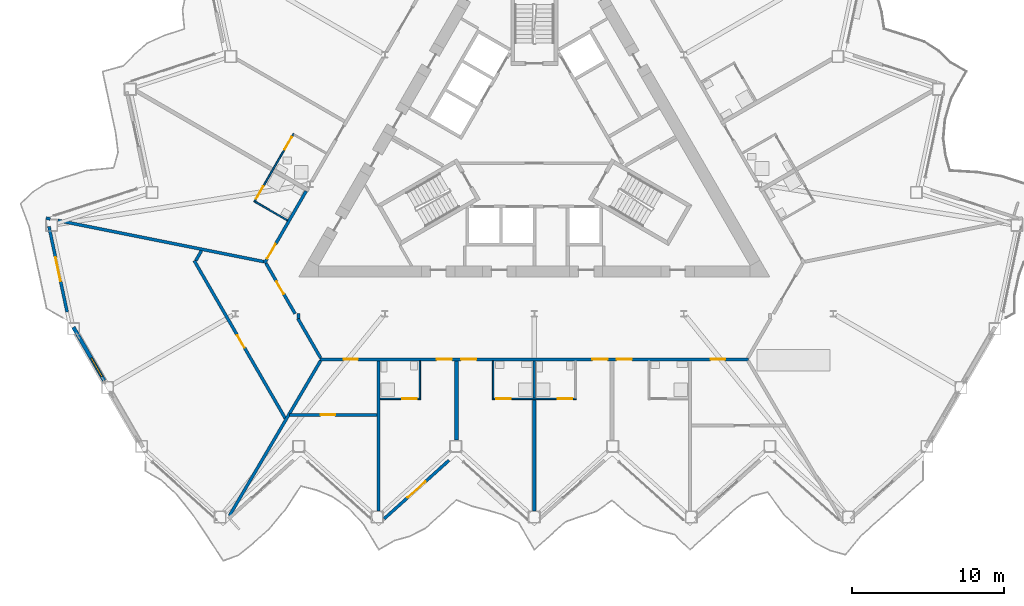
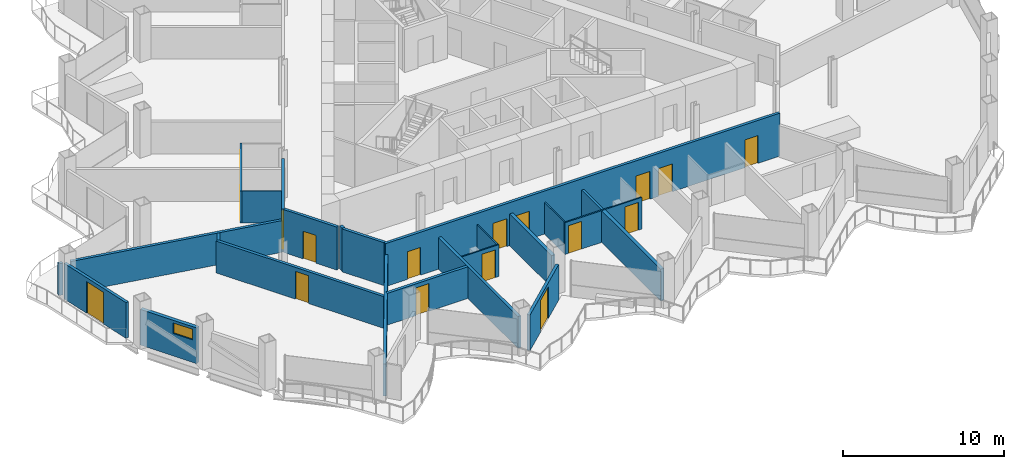
# One storey, part 10 of 23: 24 walls, 17 doors, 1 window, 18 openings.
"""IFC4 building model written with IfcOpenShell, lengths in metres."""

import ifcopenshell
import ifcopenshell.guid

model = None  # the IFC model being written
_history = None  # IfcOwnerHistory: only IFC2X3 demands one
_inside = {}  # id of a spatial element -> (the spatial element, [elements in it])
_under = {}  # id of a project, library or spatial element -> (it, [spatial elements below it])
_declared = {}  # id of a project -> (the project, [libraries it declares])
_typed = {}  # id of a type object -> (the type object, [elements of that type])
_made_of = {}  # id of a material, layer set ... -> (it, [elements and type objects made of it])


def new_model(schema):
    """Start an empty IFC model of exactly this schema.

    Asked for "IFC4X3", IfcOpenShell would pick the latest addendum, in which some entities
    have other attributes; the version numbers below select the first issue.
    IFC2X3 requires an IfcOwnerHistory on every rooted entity: one is made here for all.
    """
    global model, _history
    if schema == "IFC4X3":
        model = ifcopenshell.file(schema_version=(4, 3, 0, 0))
    else:
        model = ifcopenshell.file(schema=schema)
    _inside.clear()
    _under.clear()
    _declared.clear()
    _typed.clear()
    _made_of.clear()
    _history = None
    if model.schema == "IFC2X3":
        org = make("IfcOrganization", Name="unknown")
        user = make(
            "IfcPersonAndOrganization",
            ThePerson=make("IfcPerson", FamilyName="unknown"),
            TheOrganization=org,
        )
        app = make(
            "IfcApplication",
            ApplicationDeveloper=org,
            Version="unknown",
            ApplicationFullName="unknown",
            ApplicationIdentifier="unknown",
        )
        _history = make(
            "IfcOwnerHistory",
            OwningUser=user,
            OwningApplication=app,
            ChangeAction="ADDED",
            CreationDate=0,
        )
    return model


def make(cls, **values):
    """One entity of the class cls with the attributes given. An attribute that is None is left unset."""
    return model.create_entity(
        cls, **{name: value for name, value in values.items() if value is not None}
    )


def rooted(cls, **values):
    """An entity with a GlobalId (a new one), such as an element, a storey or a relation."""
    return make(cls, GlobalId=ifcopenshell.guid.new(), OwnerHistory=_history, **values)


def si_unit(unit_type, name, prefix=None):
    """IfcSIUnit, for example si_unit("LENGTHUNIT", "METRE", prefix="MILLI")."""
    return make("IfcSIUnit", UnitType=unit_type, Prefix=prefix, Name=name)


def assignment(units):
    """IfcUnitAssignment: the units of a project."""
    return None if units is None else make("IfcUnitAssignment", Units=units)


def point(xyz):
    """IfcCartesianPoint."""
    return None if xyz is None else make("IfcCartesianPoint", Coordinates=xyz)


def direction(xyz):
    """IfcDirection."""
    return None if xyz is None else make("IfcDirection", DirectionRatios=xyz)


def frame(location, z_axis=None, x_axis=None):
    """IfcAxis2Placement3D, a coordinate frame: its origin and axes. An axis left out is left unset."""
    return make(
        "IfcAxis2Placement3D",
        Location=point(location),
        Axis=direction(z_axis),
        RefDirection=direction(x_axis),
    )


def frame_2d(location, x_axis=None):
    """IfcAxis2Placement2D, a coordinate frame in the plane: its origin and x axis."""
    return make(
        "IfcAxis2Placement2D", Location=point(location), RefDirection=direction(x_axis)
    )


def origin():
    """The frame at (0, 0, 0) with its axes left unset."""
    return frame((0.0, 0.0, 0.0))


def place(relative_to, where):
    """IfcLocalPlacement: puts the frame where relative to a parent placement (None: the world)."""
    return make(
        "IfcLocalPlacement", PlacementRelTo=relative_to, RelativePlacement=where
    )


def context(
    kind, dimensions, precision=None, world=None, true_north=None, identifier=None
):
    """IfcGeometricRepresentationContext, for example the 3D "Model" context."""
    return make(
        "IfcGeometricRepresentationContext",
        ContextIdentifier=identifier,
        ContextType=kind,
        CoordinateSpaceDimension=dimensions,
        Precision=precision,
        WorldCoordinateSystem=world,
        TrueNorth=true_north,
    )


def subcontext(parent, identifier, kind, view, scale=None):
    """IfcGeometricRepresentationSubContext, for example "Body" below "Model"."""
    return make(
        "IfcGeometricRepresentationSubContext",
        ContextIdentifier=identifier,
        ContextType=kind,
        ParentContext=parent,
        TargetScale=scale,
        TargetView=view,
    )


def project(units=None, contexts=None):
    """IfcProject with its units and contexts."""
    return rooted(
        "IfcProject",
        Name="project",
        RepresentationContexts=contexts,
        UnitsInContext=assignment(units),
    )


def spatial(cls, under=None, at=None, **own):
    """A site, building, storey or space (cls), placed at a placement, below another one or the project."""
    s = rooted(cls, ObjectPlacement=at, **own)
    if under is not None:
        _under.setdefault(under.id(), (under, []))[1].append(s)
    return s


def profile(cls, at=None, kind="AREA", **sizes):
    """A parametric profile (cls). Its sizes go by their IFC names, for example OverallWidth=200.0."""
    return make(cls, ProfileType=kind, Position=at, **sizes)


def rectangle(**sizes):
    """IfcRectangleProfileDef."""
    return profile("IfcRectangleProfileDef", **sizes)


def extrude(swept, where, along, depth):
    """IfcExtrudedAreaSolid: the profile swept, set in the frame where, extruded along a direction by depth."""
    return make(
        "IfcExtrudedAreaSolid",
        SweptArea=swept,
        Position=where,
        ExtrudedDirection=direction(along),
        Depth=depth,
    )


def shape(context_of_items, identifier, shape_type, items):
    """IfcShapeRepresentation: the items that make up one representation, for example the "Body"."""
    return make(
        "IfcShapeRepresentation",
        ContextOfItems=context_of_items,
        RepresentationIdentifier=identifier,
        RepresentationType=shape_type,
        Items=items,
    )


def material(Name=None, Category=None):
    """IfcMaterial."""
    return make("IfcMaterial", Name=Name, Category=Category)


def layer(
    of_material, thickness, ventilated=None, Name=None, Category=None, Priority=None
):
    """IfcMaterialLayer: one layer of a wall or slab, of a material (None: an air gap)."""
    return make(
        "IfcMaterialLayer",
        Material=of_material,
        LayerThickness=thickness,
        IsVentilated=ventilated,
        Name=Name,
        Category=Category,
        Priority=Priority,
    )


def layer_set(layers, Name=None):
    """IfcMaterialLayerSet."""
    return make("IfcMaterialLayerSet", MaterialLayers=layers, LayerSetName=Name)


def made_of(thing, what):
    """Note that an element or type object is made of a material, layer set ...; save() writes the relation."""
    if what is not None:
        _made_of.setdefault(what.id(), (what, []))[1].append(thing)
    return thing


def type_object(cls, material=None, **own):
    """A type object (cls), such as IfcWallType, which elements share."""
    return made_of(rooted(cls, **own), material)


def element(
    cls,
    number,
    at=None,
    inside=None,
    cuts=None,
    type_object=None,
    material=None,
    context=None,
    identifier="Body",
    shape_type=None,
    held_by="IfcProductDefinitionShape",
    body=None,
    shapes=None,
    **own,
):
    """One element of the class cls, such as IfcWall. Its Tag is "e" and its number.

    at: its placement. inside: the storey or other place that contains it. cuts: it is an
    opening in that element (IfcRelVoidsElement). A single representation is given by context,
    identifier, shape_type and body (its items); several are given by shapes. held_by: the class
    of the entity that holds the representations. save() writes the other relations.
    """
    e = rooted(cls, Tag="e%d" % number, ObjectPlacement=at, **own)
    if body is not None:
        shapes = [shape(context, identifier, shape_type, body)]
    if shapes is not None:
        e.Representation = make(held_by, Representations=shapes)
    if inside is not None:
        _inside.setdefault(inside.id(), (inside, []))[1].append(e)
    if cuts is not None:
        rooted(
            "IfcRelVoidsElement", RelatingBuildingElement=cuts, RelatedOpeningElement=e
        )
    if type_object is not None:
        _typed.setdefault(type_object.id(), (type_object, []))[1].append(e)
    return made_of(e, material)


def fill(opening, filler):
    """IfcRelFillsElement: the door or window that sits in an opening."""
    return rooted(
        "IfcRelFillsElement",
        RelatingOpeningElement=opening,
        RelatedBuildingElement=filler,
    )


def aggregate(whole, parts):
    """IfcRelAggregates: a whole, such as a stair, and the parts it consists of."""
    return rooted("IfcRelAggregates", RelatingObject=whole, RelatedObjects=parts)


def save(model, path):
    """Write the relations noted so far, then the file.

    IfcRelAggregates (storeys below a building ...), IfcRelContainedInSpatialStructure (elements
    in a storey), IfcRelDefinesByType, IfcRelAssociatesMaterial and IfcRelDeclares: one each for
    every whole, place, type object, material and project.
    """
    for whole, parts in _under.values():
        aggregate(whole, parts)
    for where, things in _inside.values():
        rooted(
            "IfcRelContainedInSpatialStructure",
            RelatedElements=things,
            RelatingStructure=where,
        )
    for kind, things in _typed.values():
        rooted("IfcRelDefinesByType", RelatedObjects=things, RelatingType=kind)
    for what, things in _made_of.values():
        rooted("IfcRelAssociatesMaterial", RelatedObjects=things, RelatingMaterial=what)
    for by, libraries in _declared.values():
        rooted("IfcRelDeclares", RelatingContext=by, RelatedDefinitions=libraries)
    model.write(path)


model = new_model("IFC4")

# Units and contexts
model_context = context("Model", 3, precision=1e-05, world=origin(), true_north=direction((0.0, 1.0)))
body_context = subcontext(model_context, "Body", "Model", "MODEL_VIEW")
ifc_project = project(units=[si_unit("LENGTHUNIT", "METRE"), si_unit("AREAUNIT", "SQUARE_METRE"), si_unit("VOLUMEUNIT", "CUBIC_METRE"), si_unit("PLANEANGLEUNIT", "RADIAN"), si_unit("MASSUNIT", "GRAM", prefix="KILO")], contexts=[model_context])

# Site, building, storey
site_placement = place(None, origin())
site = spatial("IfcSite", under=ifc_project, at=site_placement, CompositionType="ELEMENT")
building_placement = place(site_placement, origin())
building = spatial("IfcBuilding", under=site, at=building_placement, Name="Cormorant Prow Tower", CompositionType="ELEMENT")
storey_placement = place(building_placement, frame((0.0, 0.0, 176.39990234375)))
storey = spatial("IfcBuildingStorey", under=building, at=storey_placement, Name="L37", CompositionType="ELEMENT", Elevation=176.39990234375)

# Wall, openings, doors
ifc_material_1 = material(Name="Gypsum board corridor wall")
ifc_layer_1 = layer(ifc_material_1, 0.199951171875)
ifc_layer_set_1 = layer_set([ifc_layer_1], Name="Gypsum board corridor wall")
wall_type_1 = type_object("IfcWallType", Name="Corridor wall 200", PredefinedType="PARTITIONING", material=ifc_layer_set_1)
wall_1_placement = place(storey_placement, frame((-14.098876953125, -14.348876953125, 0.0), z_axis=(0.0, 0.0, 1.0), x_axis=(1.0, 0.0, 0.0)))
wall_1 = element("IfcWall", 1, at=wall_1_placement, inside=storey, type_object=wall_type_1, Name="Corridor wall", PredefinedType="PARTITIONING", context=body_context, shape_type="SweptSolid", body=[
    extrude(rectangle(XDim=28.19775390625, YDim=0.199951171875, at=frame_2d((14.098876953125, 0.0))), origin(), (0.0, 0.0, 1.0), 3.25),
])
opening_1_placement = place(wall_1_placement, frame((1.55224609375, 0.0, 0.0)))
opening_1 = element("IfcOpeningElement", 2, at=opening_1_placement, cuts=wall_1, Name="Opening L37-F01", PredefinedType="OPENING", context=body_context, shape_type="SweptSolid", body=[
    extrude(rectangle(XDim=0.949951171875, YDim=2.10009765625, at=frame_2d((0.47509765625, 1.050048828125))), frame((0.0, 0.10986328125, 0.0), z_axis=(0.0, -1.0, 0.0), x_axis=(1.0, 0.0, 0.0)), (0.0, 0.0, 1.0), 0.219970703125),
])
opening_2_placement = place(wall_1_placement, frame((7.67724609375, 0.0, 0.0)))
opening_2 = element("IfcOpeningElement", 3, at=opening_2_placement, cuts=wall_1, Name="Opening L37-F03", PredefinedType="OPENING", context=body_context, shape_type="SweptSolid", body=[
    extrude(rectangle(XDim=1.0, YDim=2.10009765625, at=frame_2d((0.5, 1.050048828125))), frame((0.0, 0.10986328125, 0.0), z_axis=(0.0, -1.0, 0.0), x_axis=(1.0, 0.0, 0.0)), (0.0, 0.0, 1.0), 0.219970703125),
])
opening_3_placement = place(wall_1_placement, frame((9.283203125, 0.0, 0.0)))
opening_3 = element("IfcOpeningElement", 4, at=opening_3_placement, cuts=wall_1, Name="Opening L37-F05", PredefinedType="OPENING", context=body_context, shape_type="SweptSolid", body=[
    extrude(rectangle(XDim=1.0, YDim=2.10009765625, at=frame_2d((0.5, 1.050048828125))), frame((0.0, 0.10986328125, 0.0), z_axis=(0.0, -1.0, 0.0), x_axis=(1.0, 0.0, 0.0)), (0.0, 0.0, 1.0), 0.219970703125),
])
opening_4_placement = place(wall_1_placement, frame((17.914794921875, 0.0, 0.0)))
opening_4 = element("IfcOpeningElement", 5, at=opening_4_placement, cuts=wall_1, Name="Opening L37-F07", PredefinedType="OPENING", context=body_context, shape_type="SweptSolid", body=[
    extrude(rectangle(XDim=1.0, YDim=2.10009765625, at=frame_2d((0.5, 1.050048828125))), frame((0.0, 0.10986328125, 0.0), z_axis=(0.0, -1.0, 0.0), x_axis=(1.0, 0.0, 0.0)), (0.0, 0.0, 1.0), 0.219970703125),
])
opening_5_placement = place(wall_1_placement, frame((19.5205078125, 0.0, 0.0)))
opening_5 = element("IfcOpeningElement", 6, at=opening_5_placement, cuts=wall_1, Name="Opening L37-F09", PredefinedType="OPENING", context=body_context, shape_type="SweptSolid", body=[
    extrude(rectangle(XDim=1.0, YDim=2.10009765625, at=frame_2d((0.5, 1.050048828125))), frame((0.0, 0.10986328125, 0.0), z_axis=(0.0, -1.0, 0.0), x_axis=(1.0, 0.0, 0.0)), (0.0, 0.0, 1.0), 0.219970703125),
])
opening_6_placement = place(wall_1_placement, frame((25.695556640625, 0.0, 0.0)))
opening_6 = element("IfcOpeningElement", 7, at=opening_6_placement, cuts=wall_1, Name="Opening L37-F11", PredefinedType="OPENING", context=body_context, shape_type="SweptSolid", body=[
    extrude(rectangle(XDim=0.949951171875, YDim=2.10009765625, at=frame_2d((0.47509765625, 1.050048828125))), frame((0.0, 0.10986328125, 0.0), z_axis=(0.0, -1.0, 0.0), x_axis=(1.0, 0.0, 0.0)), (0.0, 0.0, 1.0), 0.219970703125),
])
ifc_material_2 = material(Name="Timber door leaf", Category="wood")
door_type_1 = type_object("IfcDoorType", Name="Flat or room entrance door 1000x2100", OperationType="NOTDEFINED", PredefinedType="DOOR", material=ifc_material_2)
door_1_placement = place(opening_2_placement, origin())
door_1 = element("IfcDoor", 8, at=door_1_placement, inside=storey, type_object=door_type_1, Name="Guest room door", OperationType="SINGLE_SWING_RIGHT", OverallHeight=2.10009765625, OverallWidth=1.0, PredefinedType="DOOR", context=body_context, shape_type="SweptSolid", body=[
    extrude(rectangle(XDim=1.0, YDim=2.10009765625, at=frame_2d((0.5, 1.050048828125))), frame((0.0, 0.02490234375, 0.0), z_axis=(0.0, -1.0, 0.0), x_axis=(1.0, 0.0, 0.0)), (0.0, 0.0, 1.0), 0.050048828125),
])
fill(opening_2, door_1)
door_2_placement = place(opening_3_placement, origin())
door_2 = element("IfcDoor", 9, at=door_2_placement, inside=storey, type_object=door_type_1, Name="Guest room door", OperationType="SINGLE_SWING_LEFT", OverallHeight=2.10009765625, OverallWidth=1.0, PredefinedType="DOOR", context=body_context, shape_type="SweptSolid", body=[
    extrude(rectangle(XDim=1.0, YDim=2.10009765625, at=frame_2d((0.5, 1.050048828125))), frame((0.0, 0.02490234375, 0.0), z_axis=(0.0, -1.0, 0.0), x_axis=(1.0, 0.0, 0.0)), (0.0, 0.0, 1.0), 0.050048828125),
])
fill(opening_3, door_2)
door_3_placement = place(opening_4_placement, origin())
door_3 = element("IfcDoor", 10, at=door_3_placement, inside=storey, type_object=door_type_1, Name="Guest room door", OperationType="SINGLE_SWING_RIGHT", OverallHeight=2.10009765625, OverallWidth=1.0, PredefinedType="DOOR", context=body_context, shape_type="SweptSolid", body=[
    extrude(rectangle(XDim=1.0, YDim=2.10009765625, at=frame_2d((0.5, 1.050048828125))), frame((0.0, 0.02490234375, 0.0), z_axis=(0.0, -1.0, 0.0), x_axis=(1.0, 0.0, 0.0)), (0.0, 0.0, 1.0), 0.050048828125),
])
fill(opening_4, door_3)
door_4_placement = place(opening_5_placement, origin())
door_4 = element("IfcDoor", 11, at=door_4_placement, inside=storey, type_object=door_type_1, Name="Guest room door", OperationType="SINGLE_SWING_LEFT", OverallHeight=2.10009765625, OverallWidth=1.0, PredefinedType="DOOR", context=body_context, shape_type="SweptSolid", body=[
    extrude(rectangle(XDim=1.0, YDim=2.10009765625, at=frame_2d((0.5, 1.050048828125))), frame((0.0, 0.02490234375, 0.0), z_axis=(0.0, -1.0, 0.0), x_axis=(1.0, 0.0, 0.0)), (0.0, 0.0, 1.0), 0.050048828125),
])
fill(opening_5, door_4)
ifc_material_3 = material(Name="Timber door leaf", Category="wood")
door_type_2 = type_object("IfcDoorType", Name="Store door 950x2100", OperationType="NOTDEFINED", PredefinedType="DOOR", material=ifc_material_3)
door_5_placement = place(opening_1_placement, origin())
door_5 = element("IfcDoor", 12, at=door_5_placement, inside=storey, type_object=door_type_2, Name="Housekeeping room door", OperationType="SINGLE_SWING_LEFT", OverallHeight=2.10009765625, OverallWidth=0.949951171875, PredefinedType="DOOR", context=body_context, shape_type="SweptSolid", body=[
    extrude(rectangle(XDim=0.949951171875, YDim=2.10009765625, at=frame_2d((0.47509765625, 1.050048828125))), frame((0.0, 0.02490234375, 0.0), z_axis=(0.0, -1.0, 0.0), x_axis=(1.0, 0.0, 0.0)), (0.0, 0.0, 1.0), 0.050048828125),
])
fill(opening_1, door_5)
door_6_placement = place(opening_6_placement, origin())
door_6 = element("IfcDoor", 13, at=door_6_placement, inside=storey, type_object=door_type_2, Name="Luggage store door", OperationType="SINGLE_SWING_LEFT", OverallHeight=2.10009765625, OverallWidth=0.949951171875, PredefinedType="DOOR", context=body_context, shape_type="SweptSolid", body=[
    extrude(rectangle(XDim=0.949951171875, YDim=2.10009765625, at=frame_2d((0.47509765625, 1.050048828125))), frame((0.0, 0.02490234375, 0.0), z_axis=(0.0, -1.0, 0.0), x_axis=(1.0, 0.0, 0.0)), (0.0, 0.0, 1.0), 0.050048828125),
])
fill(opening_6, door_6)

# Wall, opening, door
wall_2_placement = place(storey_placement, frame((-17.743896484375, -8.035400390625, 0.0), z_axis=(0.0, 0.0, 1.0), x_axis=(0.500007607708, 0.866021011428, 0.0)))
wall_2 = element("IfcWall", 14, at=wall_2_placement, inside=storey, type_object=wall_type_1, Name="Corridor wall", PredefinedType="PARTITIONING", context=body_context, shape_type="SweptSolid", body=[
    extrude(rectangle(XDim=5.484375, YDim=0.199951171875, at=frame_2d((2.7421875, 0.0))), origin(), (0.0, 0.0, 1.0), 3.25),
])
opening_7_placement = place(wall_2_placement, frame((0.352294921875, 0.0, 0.0)))
opening_7 = element("IfcOpeningElement", 15, at=opening_7_placement, cuts=wall_2, Name="Opening L37-F31", PredefinedType="OPENING", context=body_context, shape_type="SweptSolid", body=[
    extrude(rectangle(XDim=1.10009765625, YDim=2.10009765625, at=frame_2d((0.550048828125, 1.050048828125))), frame((0.0, 0.10986328125, 0.0), z_axis=(0.0, -1.0, 0.0), x_axis=(1.0, 0.0, 0.0)), (0.0, 0.0, 1.0), 0.219970703125),
])
ifc_material_4 = material(Name="Timber door leaf", Category="wood")
door_type_3 = type_object("IfcDoorType", Name="Suite entrance door 1100x2100", OperationType="NOTDEFINED", PredefinedType="DOOR", material=ifc_material_4)
door_7_placement = place(opening_7_placement, origin())
door_7 = element("IfcDoor", 16, at=door_7_placement, inside=storey, type_object=door_type_3, Name="Junior suite door", OperationType="SINGLE_SWING_LEFT", OverallHeight=2.10009765625, OverallWidth=1.10009765625, PredefinedType="DOOR", context=body_context, shape_type="SweptSolid", body=[
    extrude(rectangle(XDim=1.10009765625, YDim=2.10009765625, at=frame_2d((0.550048828125, 1.050048828125))), frame((0.0, 0.02490234375, 0.0), z_axis=(0.0, -1.0, 0.0), x_axis=(1.0, 0.0, 0.0)), (0.0, 0.0, 1.0), 0.050048828125),
])
fill(opening_7, door_7)

wall_3_placement = place(storey_placement, frame((-17.643798828125, -8.035400390625, 0.0), z_axis=(0.0, 0.0, 1.0), x_axis=(0.499961815444, -0.866047448526, 0.0)))
wall_3 = element("IfcWall", 17, at=wall_3_placement, inside=storey, type_object=wall_type_1, Name="Corridor wall", PredefinedType="PARTITIONING", context=body_context, shape_type="SweptSolid", body=[
    extrude(rectangle(XDim=3.825927734375, YDim=0.199951171875, at=frame_2d((1.9130859375, 0.0))), origin(), (0.0, 0.0, 1.0), 3.25),
])
opening_8_placement = place(wall_3_placement, frame((1.38623046875, 0.0, 0.0)))
opening_8 = element("IfcOpeningElement", 18, at=opening_8_placement, cuts=wall_3, Name="Opening L37-F33", PredefinedType="OPENING", context=body_context, shape_type="SweptSolid", body=[
    extrude(rectangle(XDim=0.949951171875, YDim=2.10009765625, at=frame_2d((0.47509765625, 1.050048828125))), frame((0.0, 0.10986328125, 0.0), z_axis=(0.0, -1.0, 0.0), x_axis=(1.0, 0.0, 0.0)), (0.0, 0.0, 1.0), 0.219970703125),
])
door_8_placement = place(opening_8_placement, origin())
door_8 = element("IfcDoor", 19, at=door_8_placement, inside=storey, type_object=door_type_2, Name="Housekeeping room door", OperationType="SINGLE_SWING_LEFT", OverallHeight=2.10009765625, OverallWidth=0.949951171875, PredefinedType="DOOR", context=body_context, shape_type="SweptSolid", body=[
    extrude(rectangle(XDim=0.949951171875, YDim=2.10009765625, at=frame_2d((0.47509765625, 1.050048828125))), frame((0.0, 0.02490234375, 0.0), z_axis=(0.0, -1.0, 0.0), x_axis=(1.0, 0.0, 0.0)), (0.0, 0.0, 1.0), 0.050048828125),
])
fill(opening_8, door_8)

# Walls
wall_4_placement = place(storey_placement, frame((-15.550048828125, -11.662353515625, 0.0), z_axis=(0.0, 0.0, 1.0), x_axis=(0.500048608389, -0.865997337899, 0.0)))
element("IfcWall", 20, at=wall_4_placement, inside=storey, type_object=wall_type_1, Name="Corridor wall", PredefinedType="PARTITIONING", context=body_context, shape_type="SweptSolid", body=[
    extrude(rectangle(XDim=3.002197265625, YDim=0.199951171875, at=frame_2d((1.5009765625, 0.0))), origin(), (0.0, 0.0, 1.0), 3.25),
])
wall_5_placement = place(storey_placement, frame((-15.5, -11.64892578125, 0.0), z_axis=(0.0, 0.0, 1.0), x_axis=(0.0, 1.0, 0.0)))
element("IfcWall", 21, at=wall_5_placement, inside=storey, type_object=wall_type_1, Name="Corridor wall", PredefinedType="PARTITIONING", context=body_context, shape_type="SweptSolid", body=[
    extrude(rectangle(XDim=0.31005859375, YDim=0.199951171875, at=frame_2d((0.155029296875, 0.0))), origin(), (0.0, 0.0, 1.0), 3.25),
])
ifc_material_5 = material(Name="Gypsum board demising wall")
ifc_layer_2 = layer(ifc_material_5, 0.199951171875)
ifc_layer_set_2 = layer_set([ifc_layer_2], Name="Gypsum board demising wall")
wall_type_2 = type_object("IfcWallType", Name="Demising wall 200", PredefinedType="PARTITIONING", material=ifc_layer_set_2)
wall_6_placement = place(storey_placement, frame((-31.3291015625, -5.220703125, 0.0), z_axis=(0.0, 0.0, 1.0), x_axis=(0.980565709097, -0.196190953266, 0.0)))
element("IfcWall", 22, at=wall_6_placement, inside=storey, type_object=wall_type_2, Name="Demising wall", PredefinedType="PARTITIONING", context=body_context, shape_type="SweptSolid", body=[
    extrude(rectangle(XDim=13.805419921875, YDim=0.199951171875, at=frame_2d((6.90283203125, 0.0))), origin(), (0.0, 0.0, 1.0), 2.404296875),
])
wall_7_placement = place(storey_placement, frame((-20.046142578125, -24.632080078125, 0.0), z_axis=(0.0, 0.0, 1.0), x_axis=(0.50691549935, 0.86199575203, 0.0)))
element("IfcWall", 23, at=wall_7_placement, inside=storey, type_object=wall_type_2, Name="Demising wall", PredefinedType="PARTITIONING", context=body_context, shape_type="SweptSolid", body=[
    extrude(rectangle(XDim=11.82958984375, YDim=0.199951171875, at=frame_2d((5.914794921875, 0.0))), origin(), (0.0, 0.0, 1.0), 2.404296875),
])

# Wall, opening, door
wall_8_placement = place(storey_placement, frame((-22.36279296875, -7.8623046875, 0.0), z_axis=(0.0, 0.0, 1.0), x_axis=(0.500009728207, -0.866019787128, 0.0)))
wall_8 = element("IfcWall", 24, at=wall_8_placement, inside=storey, type_object=wall_type_2, Name="Demising wall", PredefinedType="PARTITIONING", context=body_context, shape_type="SweptSolid", body=[
    extrude(rectangle(XDim=11.966552734375, YDim=0.199951171875, at=frame_2d((5.9833984375, 0.0))), origin(), (0.0, 0.0, 1.0), 2.404296875),
])
opening_9_placement = place(wall_8_placement, frame((5.658447265625, 0.0, 0.0)))
opening_9 = element("IfcOpeningElement", 25, at=opening_9_placement, cuts=wall_8, Name="Opening L37-F34", PredefinedType="OPENING", context=body_context, shape_type="SweptSolid", body=[
    extrude(rectangle(XDim=0.949951171875, YDim=2.10009765625, at=frame_2d((0.47509765625, 1.050048828125))), frame((0.0, 0.10986328125, 0.0), z_axis=(0.0, -1.0, 0.0), x_axis=(1.0, 0.0, 0.0)), (0.0, 0.0, 1.0), 0.219970703125),
])
door_9_placement = place(opening_9_placement, origin())
door_9 = element("IfcDoor", 26, at=door_9_placement, inside=storey, type_object=door_type_2, Name="Ice and vending room door", OperationType="SINGLE_SWING_RIGHT", OverallHeight=2.10009765625, OverallWidth=0.949951171875, PredefinedType="DOOR", context=body_context, shape_type="SweptSolid", body=[
    extrude(rectangle(XDim=0.949951171875, YDim=2.10009765625, at=frame_2d((0.47509765625, 1.050048828125))), frame((0.0, 0.02490234375, 0.0), z_axis=(0.0, -1.0, 0.0), x_axis=(1.0, 0.0, 0.0)), (0.0, 0.0, 1.0), 0.050048828125),
])
fill(opening_9, door_9)

# Wall
wall_9_placement = place(storey_placement, frame((-10.2314453125, -24.3115234375, 0.0), z_axis=(0.0, 0.0, 1.0), x_axis=(0.0, 1.0, 0.0)))
element("IfcWall", 27, at=wall_9_placement, inside=storey, type_object=wall_type_2, Name="Demising wall", PredefinedType="PARTITIONING", context=body_context, shape_type="SweptSolid", body=[
    extrude(rectangle(XDim=9.862548828125, YDim=0.199951171875, at=frame_2d((4.93115234375, 0.0))), origin(), (0.0, 0.0, 1.0), 2.404296875),
])

# Wall, opening, door
wall_10_placement = place(storey_placement, frame((-16.106201171875, -17.998779296875, 0.0), z_axis=(0.0, 0.0, 1.0), x_axis=(1.0, 0.0, 0.0)))
wall_10 = element("IfcWall", 28, at=wall_10_placement, inside=storey, type_object=wall_type_2, Name="Demising wall", PredefinedType="PARTITIONING", context=body_context, shape_type="SweptSolid", body=[
    extrude(rectangle(XDim=5.77490234375, YDim=0.199951171875, at=frame_2d((2.887451171875, 0.0))), origin(), (0.0, 0.0, 1.0), 2.404296875),
])
opening_10_placement = place(wall_10_placement, frame((2.060302734375, 0.0, 0.0)))
opening_10 = element("IfcOpeningElement", 29, at=opening_10_placement, cuts=wall_10, Name="Opening L37-F02", PredefinedType="OPENING", context=body_context, shape_type="SweptSolid", body=[
    extrude(rectangle(XDim=0.949951171875, YDim=2.10009765625, at=frame_2d((0.47509765625, 1.050048828125))), frame((0.0, 0.10986328125, 0.0), z_axis=(0.0, -1.0, 0.0), x_axis=(1.0, 0.0, 0.0)), (0.0, 0.0, 1.0), 0.219970703125),
])
door_10_placement = place(opening_10_placement, origin())
door_10 = element("IfcDoor", 30, at=door_10_placement, inside=storey, type_object=door_type_2, Name="Linen store door", OperationType="SINGLE_SWING_LEFT", OverallHeight=2.10009765625, OverallWidth=0.949951171875, PredefinedType="DOOR", context=body_context, shape_type="SweptSolid", body=[
    extrude(rectangle(XDim=0.949951171875, YDim=2.10009765625, at=frame_2d((0.47509765625, 1.050048828125))), frame((0.0, 0.02490234375, 0.0), z_axis=(0.0, -1.0, 0.0), x_axis=(1.0, 0.0, 0.0)), (0.0, 0.0, 1.0), 0.050048828125),
])
fill(opening_10, door_10)

# Walls
wall_11_placement = place(storey_placement, frame((-22.2626953125, -7.8623046875, 0.0), z_axis=(0.0, 0.0, 1.0), x_axis=(0.499852814723, 0.866110364569, 0.0)))
element("IfcWall", 31, at=wall_11_placement, inside=storey, type_object=wall_type_2, Name="Demising wall", PredefinedType="PARTITIONING", context=body_context, shape_type="SweptSolid", body=[
    extrude(rectangle(XDim=0.756591796875, YDim=0.199951171875, at=frame_2d((0.37841796875, 0.0))), origin(), (0.0, 0.0, 1.0), 2.404296875),
])
wall_12_placement = place(storey_placement, frame((-32.1025390625, -5.06591796875, 0.0), z_axis=(0.0, 0.0, 1.0), x_axis=(0.980512850695, -0.19645495571, 0.0)))
element("IfcWall", 32, at=wall_12_placement, inside=storey, type_object=wall_type_2, Name="Demising wall", PredefinedType="PARTITIONING", context=body_context, shape_type="SweptSolid", body=[
    extrude(rectangle(XDim=0.277099609375, YDim=0.199951171875, at=frame_2d((0.138671875, 0.0))), origin(), (0.0, 0.0, 1.0), 2.404296875),
])

# Wall, openings, doors
ifc_material_6 = material(Name="Gypsum board partition")
ifc_layer_3 = layer(ifc_material_6, 0.10009765625)
ifc_layer_set_3 = layer_set([ifc_layer_3], Name="Gypsum board partition")
wall_type_3 = type_object("IfcWallType", Name="Internal partition 100", PredefinedType="PARTITIONING", material=ifc_layer_set_3)
wall_13_placement = place(storey_placement, frame((-2.75, -16.948974609375, 0.0), z_axis=(0.0, 0.0, 1.0), x_axis=(1.0, 0.0, 0.0)))
wall_13 = element("IfcWall", 33, at=wall_13_placement, inside=storey, type_object=wall_type_3, Name="Internal partition", PredefinedType="PARTITIONING", context=body_context, shape_type="SweptSolid", body=[
    extrude(rectangle(XDim=5.5, YDim=0.10009765625, at=frame_2d((2.75, 0.0))), origin(), (0.0, 0.0, 1.0), 2.404296875),
])
opening_11_placement = place(wall_13_placement, frame((0.25, 0.0, 0.0)))
opening_11 = element("IfcOpeningElement", 34, at=opening_11_placement, cuts=wall_13, Name="Opening L37-F06", PredefinedType="OPENING", context=body_context, shape_type="SweptSolid", body=[
    extrude(rectangle(XDim=0.949951171875, YDim=2.10009765625, at=frame_2d((0.47509765625, 1.050048828125))), frame((0.0, 0.06005859375, 0.0), z_axis=(0.0, -1.0, 0.0), x_axis=(1.0, 0.0, 0.0)), (0.0, 0.0, 1.0), 0.1201171875),
])
opening_12_placement = place(wall_13_placement, frame((4.300048828125, 0.0, 0.0)))
opening_12 = element("IfcOpeningElement", 35, at=opening_12_placement, cuts=wall_13, Name="Opening L37-F08", PredefinedType="OPENING", context=body_context, shape_type="SweptSolid", body=[
    extrude(rectangle(XDim=0.949951171875, YDim=2.10009765625, at=frame_2d((0.47509765625, 1.050048828125))), frame((0.0, 0.06005859375, 0.0), z_axis=(0.0, -1.0, 0.0), x_axis=(1.0, 0.0, 0.0)), (0.0, 0.0, 1.0), 0.1201171875),
])
ifc_material_7 = material(Name="Timber door leaf", Category="wood")
door_type_4 = type_object("IfcDoorType", Name="Bathroom door 950x2100", OperationType="NOTDEFINED", PredefinedType="DOOR", material=ifc_material_7)
door_11_placement = place(opening_11_placement, origin())
door_11 = element("IfcDoor", 36, at=door_11_placement, inside=storey, type_object=door_type_4, Name="Guest room door", OperationType="SINGLE_SWING_LEFT", OverallHeight=2.10009765625, OverallWidth=0.949951171875, PredefinedType="DOOR", context=body_context, shape_type="SweptSolid", body=[
    extrude(rectangle(XDim=0.949951171875, YDim=2.10009765625, at=frame_2d((0.47509765625, 1.050048828125))), frame((0.0, 0.02490234375, 0.0), z_axis=(0.0, -1.0, 0.0), x_axis=(1.0, 0.0, 0.0)), (0.0, 0.0, 1.0), 0.050048828125),
])
fill(opening_11, door_11)
door_12_placement = place(opening_12_placement, origin())
door_12 = element("IfcDoor", 37, at=door_12_placement, inside=storey, type_object=door_type_4, Name="Guest room door", OperationType="SINGLE_SWING_RIGHT", OverallHeight=2.10009765625, OverallWidth=0.949951171875, PredefinedType="DOOR", context=body_context, shape_type="SweptSolid", body=[
    extrude(rectangle(XDim=0.949951171875, YDim=2.10009765625, at=frame_2d((0.47509765625, 1.050048828125))), frame((0.0, 0.02490234375, 0.0), z_axis=(0.0, -1.0, 0.0), x_axis=(1.0, 0.0, 0.0)), (0.0, 0.0, 1.0), 0.050048828125),
])
fill(opening_12, door_12)

wall_14_placement = place(storey_placement, frame((-18.4208984375, -4.008056640625, 0.0), z_axis=(0.0, 0.0, 1.0), x_axis=(0.500006934395, 0.866021400173, 0.0)))
wall_14 = element("IfcWall", 38, at=wall_14_placement, inside=storey, type_object=wall_type_3, Name="Internal partition", PredefinedType="PARTITIONING", context=body_context, shape_type="SweptSolid", body=[
    extrude(rectangle(XDim=5.2001953125, YDim=0.10009765625, at=frame_2d((2.60009765625, 0.0))), origin(), (0.0, 0.0, 1.0), 2.404296875),
])
opening_13_placement = place(wall_14_placement, frame((4.0, 0.0, 0.0)))
opening_13 = element("IfcOpeningElement", 39, at=opening_13_placement, cuts=wall_14, Name="Opening L37-F30", PredefinedType="OPENING", context=body_context, shape_type="SweptSolid", body=[
    extrude(rectangle(XDim=0.949951171875, YDim=2.10009765625, at=frame_2d((0.47509765625, 1.050048828125))), frame((0.0, 0.06005859375, 0.0), z_axis=(0.0, -1.0, 0.0), x_axis=(1.0, 0.0, 0.0)), (0.0, 0.0, 1.0), 0.1201171875),
])
opening_14_placement = place(wall_14_placement, frame((0.25, 0.0, 0.0)))
opening_14 = element("IfcOpeningElement", 40, at=opening_14_placement, cuts=wall_14, Name="Opening L37-F32", PredefinedType="OPENING", context=body_context, shape_type="SweptSolid", body=[
    extrude(rectangle(XDim=0.949951171875, YDim=2.10009765625, at=frame_2d((0.47509765625, 1.050048828125))), frame((0.0, 0.06005859375, 0.0), z_axis=(0.0, -1.0, 0.0), x_axis=(1.0, 0.0, 0.0)), (0.0, 0.0, 1.0), 0.1201171875),
])
door_13_placement = place(opening_13_placement, origin())
door_13 = element("IfcDoor", 41, at=door_13_placement, inside=storey, type_object=door_type_4, Name="Guest room door", OperationType="SINGLE_SWING_RIGHT", OverallHeight=2.10009765625, OverallWidth=0.949951171875, PredefinedType="DOOR", context=body_context, shape_type="SweptSolid", body=[
    extrude(rectangle(XDim=0.949951171875, YDim=2.10009765625, at=frame_2d((0.47509765625, 1.050048828125))), frame((0.0, 0.02490234375, 0.0), z_axis=(0.0, -1.0, 0.0), x_axis=(1.0, 0.0, 0.0)), (0.0, 0.0, 1.0), 0.050048828125),
])
fill(opening_13, door_13)
door_14_placement = place(opening_14_placement, origin())
door_14 = element("IfcDoor", 42, at=door_14_placement, inside=storey, type_object=door_type_4, Name="Junior suite door", OperationType="SINGLE_SWING_LEFT", OverallHeight=2.10009765625, OverallWidth=0.949951171875, PredefinedType="DOOR", context=body_context, shape_type="SweptSolid", body=[
    extrude(rectangle(XDim=0.949951171875, YDim=2.10009765625, at=frame_2d((0.47509765625, 1.050048828125))), frame((0.0, 0.02490234375, 0.0), z_axis=(0.0, -1.0, 0.0), x_axis=(1.0, 0.0, 0.0)), (0.0, 0.0, 1.0), 0.050048828125),
])
fill(opening_14, door_14)

# Wall, opening, door
wall_15_placement = place(storey_placement, frame((-10.13134765625, -16.948974609375, 0.0), z_axis=(0.0, 0.0, 1.0), x_axis=(1.0, 0.0, 0.0)))
wall_15 = element("IfcWall", 43, at=wall_15_placement, inside=storey, type_object=wall_type_3, Name="Internal partition", PredefinedType="PARTITIONING", context=body_context, shape_type="SweptSolid", body=[
    extrude(rectangle(XDim=2.64990234375, YDim=0.10009765625, at=frame_2d((1.324951171875, 0.0))), origin(), (0.0, 0.0, 1.0), 2.404296875),
])
opening_15_placement = place(wall_15_placement, frame((1.449951171875, 0.0, 0.0)))
opening_15 = element("IfcOpeningElement", 44, at=opening_15_placement, cuts=wall_15, Name="Opening L37-F04", PredefinedType="OPENING", context=body_context, shape_type="SweptSolid", body=[
    extrude(rectangle(XDim=0.949951171875, YDim=2.10009765625, at=frame_2d((0.47509765625, 1.050048828125))), frame((0.0, 0.06005859375, 0.0), z_axis=(0.0, -1.0, 0.0), x_axis=(1.0, 0.0, 0.0)), (0.0, 0.0, 1.0), 0.1201171875),
])
door_15_placement = place(opening_15_placement, origin())
door_15 = element("IfcDoor", 45, at=door_15_placement, inside=storey, type_object=door_type_4, Name="Guest room door", OperationType="SINGLE_SWING_RIGHT", OverallHeight=2.10009765625, OverallWidth=0.949951171875, PredefinedType="DOOR", context=body_context, shape_type="SweptSolid", body=[
    extrude(rectangle(XDim=0.949951171875, YDim=2.10009765625, at=frame_2d((0.47509765625, 1.050048828125))), frame((0.0, 0.02490234375, 0.0), z_axis=(0.0, -1.0, 0.0), x_axis=(1.0, 0.0, 0.0)), (0.0, 0.0, 1.0), 0.050048828125),
])
fill(opening_15, door_15)

# Walls
for number, where, z_axis, x_axis, name in (
    (46, (-18.3525390625, -3.98974609375, 0.0), (0.0, 0.0, 1.0), (0.866057815567, -0.499943856944, 0.0), "Internal partition"),
    (47, (-7.531494140625, -16.89892578125, 0.0), (0.0, 0.0, 1.0), (0.0, 1.0, 0.0), "Internal partition"),
    (48, (-2.699951171875, -16.89892578125, 0.0), (0.0, 0.0, 1.0), (0.0, 1.0, 0.0), "Internal partition"),
):
    element("IfcWall", number, at=place(storey_placement, frame(where, z_axis=z_axis, x_axis=x_axis)), inside=storey, type_object=wall_type_3, Name=name, PredefinedType="PARTITIONING", context=body_context, shape_type="SweptSolid", body=[
        extrude(rectangle(XDim=2.449951171875, YDim=0.10009765625, at=frame_2d((1.22509765625, 0.0))), origin(), (0.0, 0.0, 1.0), 2.404296875),
    ])
ifc_material_8 = material(Name="Acoustic gypsum party wall")
ifc_layer_4 = layer(ifc_material_8, 0.25)
ifc_layer_set_4 = layer_set([ifc_layer_4], Name="Acoustic gypsum party wall")
wall_type_4 = type_object("IfcWallType", Name="Suite party wall 250", PredefinedType="PARTITIONING", material=ifc_layer_set_4)
wall_16_placement = place(storey_placement, frame((0.0, -24.3115234375, 0.0), z_axis=(0.0, 0.0, 1.0), x_axis=(0.0, 1.0, 0.0)))
element("IfcWall", 49, at=wall_16_placement, inside=storey, type_object=wall_type_4, Name="Suite party wall", PredefinedType="PARTITIONING", context=body_context, shape_type="SweptSolid", body=[
    extrude(rectangle(XDim=7.312744140625, YDim=0.25, at=frame_2d((3.65625, 0.0))), origin(), (0.0, 0.0, 1.0), 2.404296875),
])
wall_17_placement = place(storey_placement, frame((-5.11572265625, -19.661376953125, 0.0), z_axis=(0.0, 0.0, 1.0), x_axis=(0.0, 1.0, 0.0)))
element("IfcWall", 50, at=wall_17_placement, inside=storey, type_object=wall_type_4, Name="Suite party wall", PredefinedType="PARTITIONING", context=body_context, shape_type="SweptSolid", body=[
    extrude(rectangle(XDim=5.21240234375, YDim=0.25, at=frame_2d((2.606201171875, 0.0))), origin(), (0.0, 0.0, 1.0), 2.404296875),
])

# Wall, opening, window
ifc_material_9 = material(Name="Terracotta", Category="masonry")
ifc_layer_5 = layer(ifc_material_9, 0.25)
ifc_layer_set_5 = layer_set([ifc_layer_5], Name="Terracotta")
wall_type_5 = type_object("IfcWallType", Name="Terracotta bay wall 250", PredefinedType="SOLIDWALL", material=ifc_layer_set_5)
wall_18_placement = place(storey_placement, frame((-30.310302734375, -12.23876953125, 0.0), z_axis=(0.0, 0.0, 1.0), x_axis=(0.500005680777, -0.866022123962, 0.0)))
wall_18 = element("IfcWall", 51, at=wall_18_placement, inside=storey, type_object=wall_type_5, Name="Terracotta bay wall WSW00", PredefinedType="SOLIDWALL", context=body_context, shape_type="SweptSolid", body=[
    extrude(rectangle(XDim=4.05419921875, YDim=0.25, at=frame_2d((2.027099609375, 0.0))), origin(), (0.0, 0.0, 1.0), 2.700927734375),
])
opening_16_placement = place(wall_18_placement, frame((2.35009765625, 0.0, 1.699951171875)))
opening_16 = element("IfcOpeningElement", 52, at=opening_16_placement, cuts=wall_18, Name="Opening WN3", PredefinedType="OPENING", context=body_context, shape_type="SweptSolid", body=[
    extrude(rectangle(XDim=1.39990234375, YDim=0.800048828125, at=frame_2d((0.699951171875, 0.39990234375))), frame((0.0, 0.135009765625, 0.0), z_axis=(0.0, -1.0, 0.0), x_axis=(1.0, 0.0, 0.0)), (0.0, 0.0, 1.0), 0.27001953125),
])
ifc_material_10 = material(Name="Aluminium 6063-T6", Category="aluminium")
window_type = type_object("IfcWindowType", Name="Corner bay window 1400x800", PartitioningType="SINGLE_PANEL", PredefinedType="WINDOW", material=ifc_material_10)
window_placement = place(opening_16_placement, origin())
window = element("IfcWindow", 53, at=window_placement, inside=storey, type_object=window_type, Name="Corner bay window WSW00", OverallHeight=0.800048828125, OverallWidth=1.39990234375, PartitioningType="SINGLE_PANEL", PredefinedType="WINDOW", context=body_context, shape_type="SweptSolid", body=[
    extrude(rectangle(XDim=1.39990234375, YDim=0.800048828125, at=frame_2d((0.699951171875, 0.39990234375))), frame((0.0, 0.030029296875, 0.0), z_axis=(0.0, -1.0, 0.0), x_axis=(1.0, 0.0, 0.0)), (0.0, 0.0, 1.0), 0.06005859375),
])
fill(opening_16, window)

# Wall, opening, door
ifc_material_11 = material(Name="Terracotta", Category="masonry")
ifc_layer_6 = layer(ifc_material_11, 0.199951171875)
ifc_layer_set_6 = layer_set([ifc_layer_6], Name="Terracotta")
wall_type_6 = type_object("IfcWallType", Name="Terracotta jamb wall 200", PredefinedType="SOLIDWALL", material=ifc_layer_set_6)
wall_19_placement = place(storey_placement, frame((-9.876220703125, -24.836181640625, 0.0), z_axis=(0.0, 0.0, 1.0), x_axis=(0.74315473474, 0.669119600844, 0.0)))
wall_19 = element("IfcWall", 54, at=wall_19_placement, inside=storey, type_object=wall_type_6, Name="Terracotta jamb wall S03", PredefinedType="SOLIDWALL", context=body_context, shape_type="SweptSolid", body=[
    extrude(rectangle(XDim=5.747802734375, YDim=0.199951171875, at=frame_2d((2.8740234375, 0.0))), origin(), (0.0, 0.0, 1.0), 2.700927734375),
])
opening_17_placement = place(wall_19_placement, frame((2.073974609375, 0.0, 0.0)))
opening_17 = element("IfcOpeningElement", 55, at=opening_17_placement, cuts=wall_19, Name="Opening ED37.02", PredefinedType="OPENING", context=body_context, shape_type="SweptSolid", body=[
    extrude(rectangle(XDim=1.60009765625, YDim=2.39990234375, at=frame_2d((0.800048828125, 1.199951171875))), frame((0.0, 0.10986328125, 0.0), z_axis=(0.0, -1.0, 0.0), x_axis=(1.0, 0.0, 0.0)), (0.0, 0.0, 1.0), 0.219970703125),
])
ifc_material_12 = material(Name="Aluminium 6063-T6", Category="aluminium")
door_type_5 = type_object("IfcDoorType", Name="Balcony door 1600x2400", OperationType="DOUBLE_DOOR_SINGLE_SWING", PredefinedType="DOOR", material=ifc_material_12)
door_16_placement = place(opening_17_placement, origin())
door_16 = element("IfcDoor", 56, at=door_16_placement, inside=storey, type_object=door_type_5, Name="Balcony door S03 ED37.02", OperationType="DOUBLE_DOOR_SINGLE_SWING", OverallHeight=2.39990234375, OverallWidth=1.60009765625, PredefinedType="DOOR", context=body_context, shape_type="SweptSolid", body=[
    extrude(rectangle(XDim=1.60009765625, YDim=2.39990234375, at=frame_2d((0.800048828125, 1.199951171875))), frame((0.0, 0.02490234375, 0.0), z_axis=(0.0, -1.0, 0.0), x_axis=(1.0, 0.0, 0.0)), (0.0, 0.0, 1.0), 0.050048828125),
])
fill(opening_17, door_16)

wall_20_placement = place(storey_placement, frame((-31.917724609375, -5.61083984375, 0.0), z_axis=(0.0, 0.0, 1.0), x_axis=(0.207913110781, -0.97814729891, 0.0)))
wall_20 = element("IfcWall", 57, at=wall_20_placement, inside=storey, type_object=wall_type_6, Name="Terracotta jamb wall WNW09", PredefinedType="SOLIDWALL", context=body_context, shape_type="SweptSolid", body=[
    extrude(rectangle(XDim=5.747802734375, YDim=0.199951171875, at=frame_2d((2.8740234375, 0.0))), origin(), (0.0, 0.0, 1.0), 2.700927734375),
])
opening_18_placement = place(wall_20_placement, frame((2.073974609375, 0.0, 0.0)))
opening_18 = element("IfcOpeningElement", 58, at=opening_18_placement, cuts=wall_20, Name="Opening ED37.15", PredefinedType="OPENING", context=body_context, shape_type="SweptSolid", body=[
    extrude(rectangle(XDim=1.60009765625, YDim=2.39990234375, at=frame_2d((0.800048828125, 1.199951171875))), frame((0.0, 0.10986328125, 0.0), z_axis=(0.0, -1.0, 0.0), x_axis=(1.0, 0.0, 0.0)), (0.0, 0.0, 1.0), 0.219970703125),
])
door_17_placement = place(opening_18_placement, origin())
door_17 = element("IfcDoor", 59, at=door_17_placement, inside=storey, type_object=door_type_5, Name="Balcony door WNW09 ED37.15", OperationType="DOUBLE_DOOR_SINGLE_SWING", OverallHeight=2.39990234375, OverallWidth=1.60009765625, PredefinedType="DOOR", context=body_context, shape_type="SweptSolid", body=[
    extrude(rectangle(XDim=1.60009765625, YDim=2.39990234375, at=frame_2d((0.800048828125, 1.199951171875))), frame((0.0, 0.02490234375, 0.0), z_axis=(0.0, -1.0, 0.0), x_axis=(1.0, 0.0, 0.0)), (0.0, 0.0, 1.0), 0.050048828125),
])
fill(opening_18, door_17)

# Wall
ifc_material_13 = material(Name="Plasterboard wet wall with pipe chase")
ifc_layer_7 = layer(ifc_material_13, 0.14990234375)
ifc_layer_set_7 = layer_set([ifc_layer_7], Name="Plasterboard wet wall with pipe chase")
wall_type_7 = type_object("IfcWallType", Name="Wet wall 150", PredefinedType="PLUMBINGWALL", material=ifc_layer_set_7)
wall_21_placement = place(storey_placement, frame((0.0, -16.89892578125, 0.0), z_axis=(0.0, 0.0, 1.0), x_axis=(0.0, 1.0, 0.0)))
element("IfcWall", 60, at=wall_21_placement, inside=storey, type_object=wall_type_7, Name="Wet wall", PredefinedType="PLUMBINGWALL", context=body_context, shape_type="SweptSolid", body=[
    extrude(rectangle(XDim=2.449951171875, YDim=0.14990234375, at=frame_2d((1.22509765625, 0.0))), origin(), (0.0, 0.0, 1.0), 2.404296875),
])

save(model, "model.ifc")
